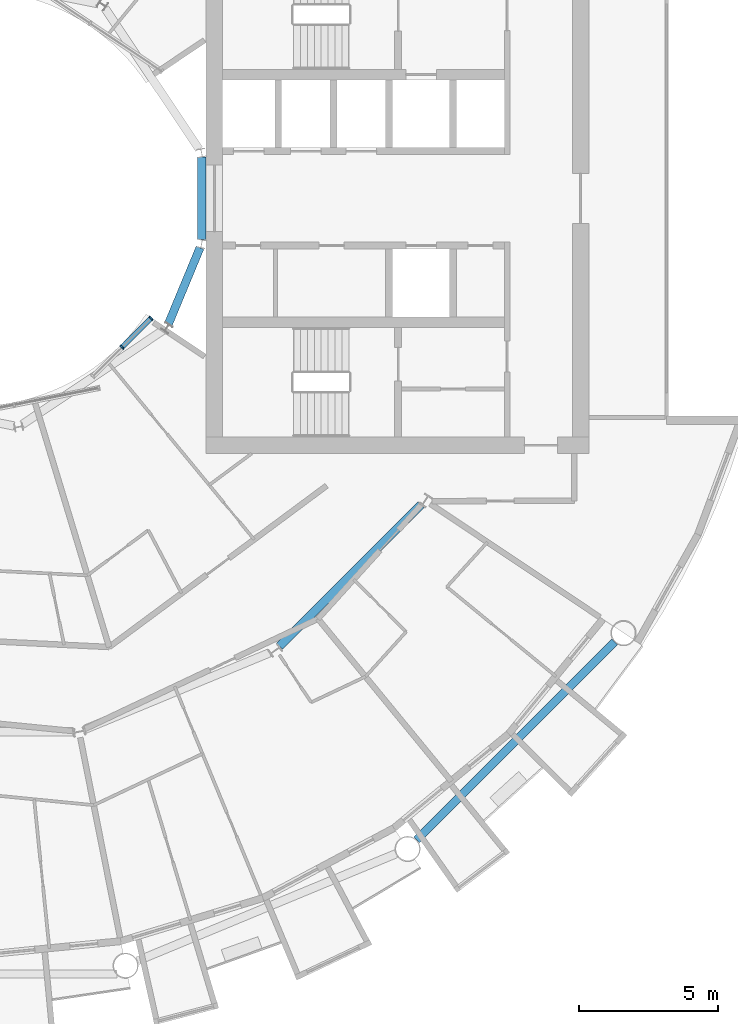
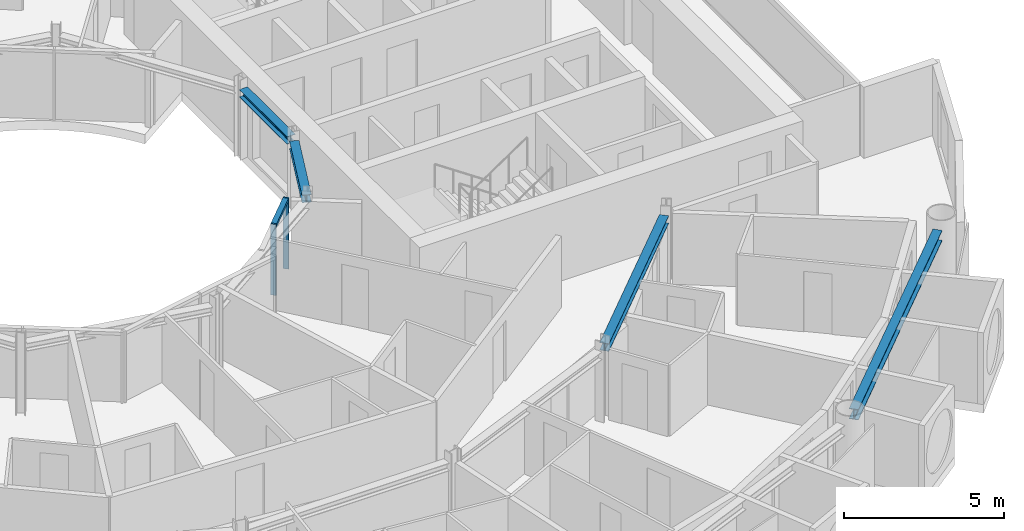
# One storey, part 7 of 27: 4 beams, 3 members, 1 element without a shape of its own.
"""IFC4 building model written with IfcOpenShell, lengths in metres."""

from ifc_helpers import new_model, si_unit, direction, frame, origin, origin_2d, place, context, subcontext, project, spatial, rectangle, i_section, extrude, material, layer, layer_set, material_profile, profile_set, type_object, element, aggregate, save


model = new_model("IFC4")

# Units and contexts
model_context = context("Model", 3, precision=1e-05, world=origin(), true_north=direction((0.0, 1.0)))
body_context = subcontext(model_context, "Body", "Model", "MODEL_VIEW")
ifc_project = project(units=[si_unit("LENGTHUNIT", "METRE"), si_unit("AREAUNIT", "SQUARE_METRE"), si_unit("VOLUMEUNIT", "CUBIC_METRE"), si_unit("PLANEANGLEUNIT", "RADIAN"), si_unit("MASSUNIT", "GRAM", prefix="KILO")], contexts=[model_context])

# Site, building, storey
site_placement = place(None, origin())
site = spatial("IfcSite", under=ifc_project, at=site_placement, CompositionType="ELEMENT")
building_placement = place(site_placement, origin())
building = spatial("IfcBuilding", under=site, at=building_placement, Name="Maasbend Ring Residences", CompositionType="ELEMENT")
storey_placement = place(building_placement, frame((0.0, 0.0, 114.699951171875)))
storey = spatial("IfcBuildingStorey", under=building, at=storey_placement, Name="L32", CompositionType="ELEMENT", Elevation=114.699951171875)

# Curtain wall, members
ifc_material_1 = material(Name="Aluminium and clear glass", Category="aluminium")
ifc_layer = layer(ifc_material_1, 0.179931640625)
ifc_layer_set = layer_set([ifc_layer], Name="CW-W")
curtain_wall_type = type_object("IfcCurtainWallType", Name="CW-W", PredefinedType="NOTDEFINED", material=ifc_layer_set)
curtain_wall_placement = place(storey_placement, origin())
curtain_wall = element("IfcCurtainWall", 1, at=curtain_wall_placement, inside=storey, type_object=curtain_wall_type, Name="Well curtain wall S3", PredefinedType="NOTDEFINED")
ifc_material_2 = material(Name="Aluminium 6063-T6", Category="aluminium")
ifc_material_profile_1 = material_profile(ifc_material_2, rectangle(XDim=0.179931640625, YDim=0.06005859375, at=origin_2d()), Name="AL 180x60")
ifc_profile_set_1 = profile_set([ifc_material_profile_1], Name="Aluminium 6063-T6")
member_type_1 = type_object("IfcMemberType", Name="CWM-W", PredefinedType="MULLION", material=ifc_profile_set_1)
member_1_placement = place(storey_placement, frame((5.366943359375, -5.366943359375, 0.0), z_axis=(0.0, 0.0, 1.0), x_axis=(-0.707106781187, 0.707106781187, 0.0)))
member_1 = element("IfcMember", 2, at=member_1_placement, type_object=member_type_1, Name="Mullion well face", PredefinedType="MULLION", context=body_context, shape_type="SweptSolid", body=[
    extrude(rectangle(XDim=0.179931640625, YDim=0.06005859375, at=origin_2d()), origin(), (0.0, 0.0, 1.0), 2.699951171875),
])
member_2_placement = place(storey_placement, frame((6.413330078125, -4.320556640625, 0.0), z_axis=(0.0, 0.0, 1.0), x_axis=(-0.707106781187, 0.707106781187, 0.0)))
member_2 = element("IfcMember", 3, at=member_2_placement, type_object=member_type_1, Name="Mullion well face", PredefinedType="MULLION", context=body_context, shape_type="SweptSolid", body=[
    extrude(rectangle(XDim=0.179931640625, YDim=0.06005859375, at=origin_2d()), origin(), (0.0, 0.0, 1.0), 2.699951171875),
])
ifc_material_3 = material(Name="Aluminium 6063-T6", Category="aluminium")
ifc_material_profile_2 = material_profile(ifc_material_3, rectangle(XDim=0.179931640625, YDim=0.1201171875, at=origin_2d()), Name="AL 180x120")
ifc_profile_set_2 = profile_set([ifc_material_profile_2], Name="Aluminium 6063-T6")
member_type_2 = type_object("IfcMemberType", Name="CWT-W", PredefinedType="USERDEFINED", material=ifc_profile_set_2)
member_3_placement = place(storey_placement, frame((5.38818359375, -5.345703125, 2.64013671875), z_axis=(0.707106781187, 0.707106781187, 0.0), x_axis=(-0.707106781187, 0.707106781187, 0.0)))
member_3 = element("IfcMember", 4, at=member_3_placement, type_object=member_type_2, Name="Transom well face", ObjectType="TRANSOM", PredefinedType="USERDEFINED", context=body_context, shape_type="SweptSolid", body=[
    extrude(rectangle(XDim=0.179931640625, YDim=0.1201171875, at=origin_2d()), origin(), (0.0, 0.0, 1.0), 1.419677734375),
])
aggregate(curtain_wall, [member_1, member_2, member_3])

# Beams
ifc_material_4 = material(Name="Steel S355J2", Category="steel")
ifc_material_profile_3 = material_profile(ifc_material_4, i_section(OverallWidth=0.300048828125, OverallDepth=0.2900390625, WebThickness=0.008544921875, FlangeThickness=0.013916015625, FilletRadius=0.027099609375, at=origin_2d()), Name="HEA 300")
ifc_profile_set_3 = profile_set([ifc_material_profile_3], Name="Steel S355J2")
beam_type_1 = type_object("IfcBeamType", Name="Corridor ring beam HEA 300", PredefinedType="BEAM", material=ifc_profile_set_3)
beam_1_placement = place(storey_placement, frame((11.044921875, -16.14111328125, 2.554931640625), z_axis=(0.707106781187, 0.707106781187, 0.0), x_axis=(-0.707106781187, 0.707106781187, 0.0)))
element("IfcBeam", 5, at=beam_1_placement, inside=storey, type_object=beam_type_1, Name="Corridor ring beam", PredefinedType="BEAM", context=body_context, shape_type="SweptSolid", body=[
    extrude(i_section(OverallWidth=0.300048828125, OverallDepth=0.2900390625, WebThickness=0.008544921875, FlangeThickness=0.013916015625, FilletRadius=0.027099609375, at=origin_2d()), origin(), (0.0, 0.0, 1.0), 7.20703125),
])
ifc_material_5 = material(Name="Steel S355J2", Category="steel")
ifc_material_profile_4 = material_profile(ifc_material_5, i_section(OverallWidth=0.300048828125, OverallDepth=0.39990234375, WebThickness=0.013427734375, FlangeThickness=0.02392578125, FilletRadius=0.027099609375, at=origin_2d()), Name="HEB 400")
ifc_profile_set_4 = profile_set([ifc_material_profile_4], Name="Steel S355J2")
beam_type_2 = type_object("IfcBeamType", Name="Spandrel ring beam HEB 400", PredefinedType="SPANDREL", material=ifc_profile_set_4)
beam_2_placement = place(storey_placement, frame((15.990234375, -23.124267578125, 2.5), z_axis=(0.707106781187, 0.707106781187, 0.0), x_axis=(-0.707106781187, 0.707106781187, 0.0)))
element("IfcBeam", 6, at=beam_2_placement, inside=storey, type_object=beam_type_2, Name="Spandrel ring beam", PredefinedType="SPANDREL", context=body_context, shape_type="SweptSolid", body=[
    extrude(i_section(OverallWidth=0.300048828125, OverallDepth=0.39990234375, WebThickness=0.013427734375, FlangeThickness=0.02392578125, FilletRadius=0.027099609375, at=origin_2d()), origin(), (0.0, 0.0, 1.0), 10.089111328125),
])
ifc_material_6 = material(Name="Steel S355J2", Category="steel")
ifc_material_profile_5 = material_profile(ifc_material_6, i_section(OverallWidth=0.300048828125, OverallDepth=0.2900390625, WebThickness=0.008544921875, FlangeThickness=0.013916015625, FilletRadius=0.027099609375, at=origin_2d()), Name="HEA 300")
ifc_profile_set_5 = profile_set([ifc_material_profile_5], Name="Steel S355J2")
beam_type_3 = type_object("IfcBeamType", Name="Well edge beam HEA 300", PredefinedType="BEAM", material=ifc_profile_set_5)
for number, where, z_axis, x_axis, name in (
    (7, (7.042724609375, -4.525390625, 2.554931640625), (0.382765370874, 0.923845588212, 0.0), (-0.923845588212, 0.382765370874, 0.0), "Well edge beam"),
    (8, (8.238525390625, -1.48583984375, 2.554931640625), (0.0, 1.0, 0.0), (-1.0, 0.0, 0.0), "Well edge beam"),
):
    element("IfcBeam", number, at=place(storey_placement, frame(where, z_axis=z_axis, x_axis=x_axis)), inside=storey, type_object=beam_type_3, Name=name, PredefinedType="BEAM", context=body_context, shape_type="SweptSolid", body=[
        extrude(i_section(OverallWidth=0.300048828125, OverallDepth=0.2900390625, WebThickness=0.008544921875, FlangeThickness=0.013916015625, FilletRadius=0.027099609375, at=origin_2d()), origin(), (0.0, 0.0, 1.0), 2.9716796875),
    ])

save(model, "model.ifc")
